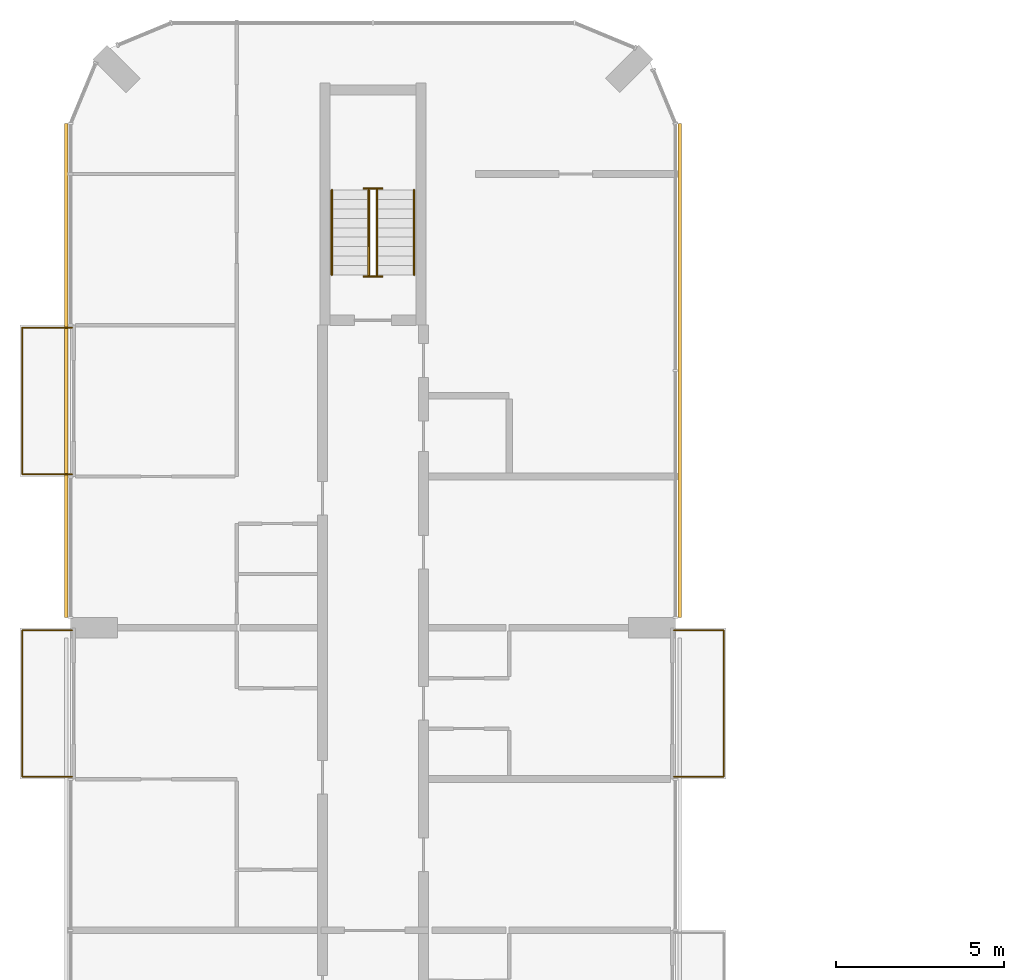
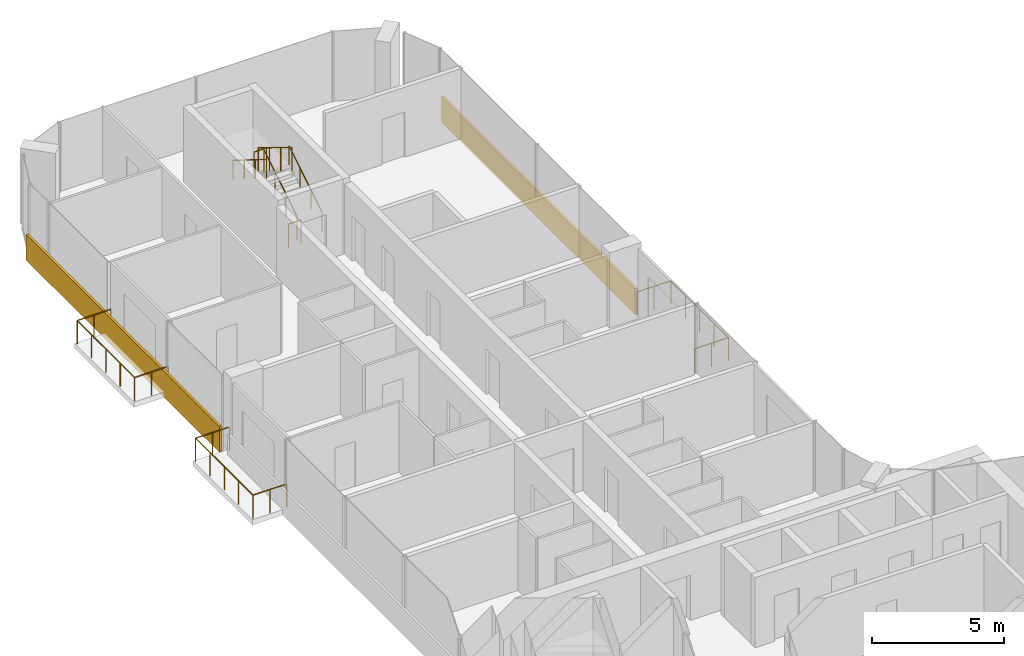
# One storey, part 15 of 15: 9 railings, 2 coverings.
"""IFC4 building model written with IfcOpenShell, lengths in metres."""

from ifc_helpers import new_model, si_unit, direction, frame, origin, origin_2d, place, context, subcontext, project, spatial, rectangle, circle, extrude, material, layer, layer_set, type_object, element, save


model = new_model("IFC4")

# Units and contexts
model_context = context("Model", 3, precision=1e-05, world=origin(), true_north=direction((0.0, 1.0)))
body_context = subcontext(model_context, "Body", "Model", "MODEL_VIEW")
ifc_project = project(units=[si_unit("LENGTHUNIT", "METRE"), si_unit("AREAUNIT", "SQUARE_METRE"), si_unit("VOLUMEUNIT", "CUBIC_METRE"), si_unit("PLANEANGLEUNIT", "RADIAN"), si_unit("MASSUNIT", "GRAM", prefix="KILO")], contexts=[model_context])

# Site, building, storey
site_placement = place(None, origin())
site = spatial("IfcSite", under=ifc_project, at=site_placement, CompositionType="ELEMENT")
building_placement = place(site_placement, origin())
building = spatial("IfcBuilding", under=site, at=building_placement, Name="Plateau Cross Towers", CompositionType="ELEMENT")
storey_placement = place(building_placement, frame((0.0, 0.0, 174.39990234375)))
storey = spatial("IfcBuildingStorey", under=building, at=storey_placement, Name="L45", CompositionType="ELEMENT", Elevation=174.39990234375)

# Railings
ifc_material_1 = material(Name="Stainless steel and toughened glass", Category="steel")
railing_type_1 = type_object("IfcRailingType", Name="Glass balustrade guard 1100", PredefinedType="GUARDRAIL", material=ifc_material_1)
for number, where, name in (
    (1, (0.050048828125, 31.570068359375, 0.0), "Guard guard1"),
    (2, (0.050048828125, 40.570068359375, 0.0), "Guard guard1"),
):
    element("IfcRailing", number, at=place(storey_placement, frame(where)), inside=storey, type_object=railing_type_1, Name=name, PredefinedType="GUARDRAIL", context=body_context, shape_type="SweptSolid", body=[
        extrude(circle(Radius=0.02392578125, at=origin_2d()), frame((0.0, 0.0, 1.076171875), z_axis=(-1.0, 0.0, 0.0), x_axis=(0.0, -1.0, 0.0)), (0.0, 0.0, 1.0), 1.47998046875),
        extrude(circle(Radius=0.02392578125, at=origin_2d()), frame((-1.47998046875, 0.0, 1.076171875), z_axis=(0.0, 1.0, 0.0), x_axis=(-1.0, 0.0, 0.0)), (0.0, 0.0, 1.0), 4.35986328125),
        extrude(circle(Radius=0.02392578125, at=origin_2d()), frame((-1.47998046875, 4.35986328125, 1.076171875), z_axis=(1.0, 0.0, 0.0), x_axis=(0.0, 1.0, 0.0)), (0.0, 0.0, 1.0), 1.47998046875),
        extrude(circle(Radius=0.02099609375, at=origin_2d()), origin(), (0.0, 0.0, 1.0), 1.052001953125),
        extrude(circle(Radius=0.02099609375, at=origin_2d()), frame((-0.739990234375, 0.0, 0.0)), (0.0, 0.0, 1.0), 1.052001953125),
        extrude(circle(Radius=0.02099609375, at=origin_2d()), frame((-1.47998046875, 0.0, 0.0)), (0.0, 0.0, 1.0), 1.052001953125),
        extrude(circle(Radius=0.02099609375, at=origin_2d()), frame((-1.47998046875, 1.08984375, 0.0)), (0.0, 0.0, 1.0), 1.052001953125),
        extrude(circle(Radius=0.02099609375, at=origin_2d()), frame((-1.47998046875, 2.179931640625, 0.0)), (0.0, 0.0, 1.0), 1.052001953125),
        extrude(circle(Radius=0.02099609375, at=origin_2d()), frame((-1.47998046875, 3.27001953125, 0.0)), (0.0, 0.0, 1.0), 1.052001953125),
        extrude(circle(Radius=0.02099609375, at=origin_2d()), frame((-1.47998046875, 4.35986328125, 0.0)), (0.0, 0.0, 1.0), 1.052001953125),
        extrude(circle(Radius=0.02099609375, at=origin_2d()), frame((-0.739990234375, 4.35986328125, 0.0)), (0.0, 0.0, 1.0), 1.052001953125),
        extrude(circle(Radius=0.02099609375, at=origin_2d()), frame((0.0, 4.35986328125, 0.0)), (0.0, 0.0, 1.0), 1.052001953125),
    ])
railing_1_placement = place(storey_placement, frame((17.949951171875, 35.929931640625, 0.0)))
element("IfcRailing", 3, at=railing_1_placement, inside=storey, type_object=railing_type_1, Name="Guard guard1", PredefinedType="GUARDRAIL", context=body_context, shape_type="SweptSolid", body=[
    extrude(circle(Radius=0.02392578125, at=origin_2d()), frame((0.0, 0.0, 1.076171875), z_axis=(1.0, 0.0, 0.0), x_axis=(0.0, 1.0, 0.0)), (0.0, 0.0, 1.0), 1.47998046875),
    extrude(circle(Radius=0.02392578125, at=origin_2d()), frame((1.47998046875, 0.0, 1.076171875), z_axis=(0.0, -1.0, 0.0), x_axis=(1.0, 0.0, 0.0)), (0.0, 0.0, 1.0), 4.35986328125),
    extrude(circle(Radius=0.02392578125, at=origin_2d()), frame((1.47998046875, -4.35986328125, 1.076171875), z_axis=(-1.0, 0.0, 0.0), x_axis=(0.0, -1.0, 0.0)), (0.0, 0.0, 1.0), 1.47998046875),
    extrude(circle(Radius=0.02099609375, at=origin_2d()), origin(), (0.0, 0.0, 1.0), 1.052001953125),
    extrude(circle(Radius=0.02099609375, at=origin_2d()), frame((0.739990234375, 0.0, 0.0)), (0.0, 0.0, 1.0), 1.052001953125),
    extrude(circle(Radius=0.02099609375, at=origin_2d()), frame((1.47998046875, 0.0, 0.0)), (0.0, 0.0, 1.0), 1.052001953125),
    extrude(circle(Radius=0.02099609375, at=origin_2d()), frame((1.47998046875, -1.08984375, 0.0)), (0.0, 0.0, 1.0), 1.052001953125),
    extrude(circle(Radius=0.02099609375, at=origin_2d()), frame((1.47998046875, -2.179931640625, 0.0)), (0.0, 0.0, 1.0), 1.052001953125),
    extrude(circle(Radius=0.02099609375, at=origin_2d()), frame((1.47998046875, -3.27001953125, 0.0)), (0.0, 0.0, 1.0), 1.052001953125),
    extrude(circle(Radius=0.02099609375, at=origin_2d()), frame((1.47998046875, -4.35986328125, 0.0)), (0.0, 0.0, 1.0), 1.052001953125),
    extrude(circle(Radius=0.02099609375, at=origin_2d()), frame((0.739990234375, -4.35986328125, 0.0)), (0.0, 0.0, 1.0), 1.052001953125),
    extrude(circle(Radius=0.02099609375, at=origin_2d()), frame((0.0, -4.35986328125, 0.0)), (0.0, 0.0, 1.0), 1.052001953125),
])
railing_type_2 = type_object("IfcRailingType", Name="RL-GUARD-1100", PredefinedType="GUARDRAIL", material=ifc_material_1)
railing_2_placement = place(storey_placement, frame((9.125, 46.5, 0.175048828125)))
element("IfcRailing", 4, at=railing_2_placement, inside=storey, type_object=railing_type_2, Name="L45 ES-N stair guard 1", PredefinedType="GUARDRAIL", context=body_context, shape_type="SweptSolid", body=[
    extrude(circle(Radius=0.02392578125, at=origin_2d()), frame((0.0, 0.0, 1.076171875), z_axis=(0.0, 0.848007534815, 0.529984170421), x_axis=(-1.0, 0.0, 0.0)), (0.0, 0.0, 1.0), 2.9716796875),
    extrude(circle(Radius=0.02099609375, at=origin_2d()), origin(), (0.0, 0.0, 1.0), 1.052001953125),
    extrude(circle(Radius=0.02099609375, at=origin_2d()), frame((0.0, 0.840087890625, 0.52490234375)), (0.0, 0.0, 1.0), 1.052001953125),
    extrude(circle(Radius=0.02099609375, at=origin_2d()), frame((0.0, 1.679931640625, 1.050048828125)), (0.0, 0.0, 1.0), 1.052001953125),
    extrude(circle(Radius=0.02099609375, at=origin_2d()), frame((0.0, 2.52001953125, 1.574951171875)), (0.0, 0.0, 1.0), 1.052001953125),
])
railing_3_placement = place(storey_placement, frame((9.27490234375, 49.070068359375, 1.75)))
element("IfcRailing", 5, at=railing_3_placement, inside=storey, type_object=railing_type_2, Name="L45 ES-N stair guard 2", PredefinedType="GUARDRAIL", context=body_context, shape_type="SweptSolid", body=[
    extrude(circle(Radius=0.02392578125, at=origin_2d()), frame((0.0, 0.0, 1.076171875), z_axis=(-1.0, 0.0, 0.0), x_axis=(0.0, -1.0, 0.0)), (0.0, 0.0, 1.0), 0.5498046875),
    extrude(circle(Radius=0.02099609375, at=origin_2d()), origin(), (0.0, 0.0, 1.0), 1.052001953125),
    extrude(circle(Radius=0.02099609375, at=origin_2d()), frame((-0.5498046875, 0.0, 0.0)), (0.0, 0.0, 1.0), 1.052001953125),
])
railing_4_placement = place(storey_placement, frame((8.875, 49.02001953125, 1.925048828125)))
element("IfcRailing", 6, at=railing_4_placement, inside=storey, type_object=railing_type_2, Name="L45 ES-N stair guard 3", PredefinedType="GUARDRAIL", context=body_context, shape_type="SweptSolid", body=[
    extrude(circle(Radius=0.02392578125, at=origin_2d()), frame((0.0, 0.0, 1.076171875), z_axis=(0.0, -0.852638500773, 0.522501279423), x_axis=(1.0, 0.0, 0.0)), (0.0, 0.0, 1.0), 3.01416015625),
    extrude(circle(Radius=0.02099609375, at=origin_2d()), origin(), (0.0, 0.0, 1.0), 1.052001953125),
    extrude(circle(Radius=0.02099609375, at=origin_2d()), frame((0.0, -0.856689453125, 0.52490234375)), (0.0, 0.0, 1.0), 1.052001953125),
    extrude(circle(Radius=0.02099609375, at=origin_2d()), frame((0.0, -1.71337890625, 1.050048828125)), (0.0, 0.0, 1.0), 1.052001953125),
    extrude(circle(Radius=0.02099609375, at=origin_2d()), frame((0.0, -2.570068359375, 1.574951171875)), (0.0, 0.0, 1.0), 1.052001953125),
])
railing_5_placement = place(storey_placement, frame((9.27490234375, 46.449951171875, 0.0)))
element("IfcRailing", 7, at=railing_5_placement, inside=storey, type_object=railing_type_2, Name="L45 ES-N stair guard 4", PredefinedType="GUARDRAIL", context=body_context, shape_type="SweptSolid", body=[
    extrude(circle(Radius=0.02392578125, at=origin_2d()), frame((0.0, 0.0, 1.076171875), z_axis=(-1.0, 0.0, 0.0), x_axis=(0.0, -1.0, 0.0)), (0.0, 0.0, 1.0), 0.5498046875),
    extrude(circle(Radius=0.02099609375, at=origin_2d()), origin(), (0.0, 0.0, 1.0), 1.052001953125),
    extrude(circle(Radius=0.02099609375, at=origin_2d()), frame((-0.5498046875, 0.0, 0.0)), (0.0, 0.0, 1.0), 1.052001953125),
])
ifc_material_2 = material(Name="Black anodised aluminium", Category="aluminium")
railing_type_3 = type_object("IfcRailingType", Name="RL-HANDRAIL-900", PredefinedType="HANDRAIL", material=ifc_material_2)
railing_6_placement = place(storey_placement, frame((10.22509765625, 46.5, 0.175048828125)))
element("IfcRailing", 8, at=railing_6_placement, inside=storey, type_object=railing_type_3, Name="L45 ES-N stair handrail 1", PredefinedType="HANDRAIL", context=body_context, shape_type="SweptSolid", body=[
    extrude(circle(Radius=0.02392578125, at=origin_2d()), frame((0.0, 0.0, 0.8759765625), z_axis=(0.0, 0.848007534815, 0.529984170421), x_axis=(-1.0, 0.0, 0.0)), (0.0, 0.0, 1.0), 2.9716796875),
    extrude(circle(Radius=0.02099609375, at=origin_2d()), origin(), (0.0, 0.0, 1.0), 0.851806640625),
    extrude(circle(Radius=0.02099609375, at=origin_2d()), frame((0.0, 0.840087890625, 0.52490234375)), (0.0, 0.0, 1.0), 0.851806640625),
    extrude(circle(Radius=0.02099609375, at=origin_2d()), frame((0.0, 1.679931640625, 1.050048828125)), (0.0, 0.0, 1.0), 0.851806640625),
    extrude(circle(Radius=0.02099609375, at=origin_2d()), frame((0.0, 2.52001953125, 1.574951171875)), (0.0, 0.0, 1.0), 0.851806640625),
])
railing_7_placement = place(storey_placement, frame((7.77490234375, 49.02001953125, 1.925048828125)))
element("IfcRailing", 9, at=railing_7_placement, inside=storey, type_object=railing_type_3, Name="L45 ES-N stair handrail 2", PredefinedType="HANDRAIL", context=body_context, shape_type="SweptSolid", body=[
    extrude(circle(Radius=0.02392578125, at=origin_2d()), frame((0.0, 0.0, 0.8759765625), z_axis=(0.0, -0.848007534815, 0.529984170421), x_axis=(1.0, 0.0, 0.0)), (0.0, 0.0, 1.0), 2.9716796875),
    extrude(circle(Radius=0.02099609375, at=origin_2d()), origin(), (0.0, 0.0, 1.0), 0.851806640625),
    extrude(circle(Radius=0.02099609375, at=origin_2d()), frame((0.0, -0.840087890625, 0.52490234375)), (0.0, 0.0, 1.0), 0.851806640625),
    extrude(circle(Radius=0.02099609375, at=origin_2d()), frame((0.0, -1.679931640625, 1.050048828125)), (0.0, 0.0, 1.0), 0.851806640625),
    extrude(circle(Radius=0.02099609375, at=origin_2d()), frame((0.0, -2.52001953125, 1.574951171875)), (0.0, 0.0, 1.0), 0.851806640625),
])

# Coverings
ifc_material_3 = material(Name="Precast concrete cladding C40/50", Category="concrete")
ifc_layer = layer(ifc_material_3, 0.10009765625)
ifc_layer_set = layer_set([ifc_layer], Name="Precast concrete cladding C40/50")
covering_type = type_object("IfcCoveringType", Name="Spandrel band cladding 100x1200", PredefinedType="CLADDING", material=ifc_layer_set)
for number, where, z_axis, x_axis, name in (
    (10, (18.1201171875, 43.64990234375, -0.25), (0.0, 0.0, 1.0), (0.0, 1.0, 0.0), "Spandrel band"),
    (11, (-0.1201171875, 43.64990234375, -0.25), (0.0, 0.0, 1.0), (0.0, -1.0, 0.0), "Spandrel band"),
):
    element("IfcCovering", number, at=place(storey_placement, frame(where, z_axis=z_axis, x_axis=x_axis)), inside=storey, type_object=covering_type, Name=name, PredefinedType="CLADDING", context=body_context, shape_type="SweptSolid", body=[
        extrude(rectangle(XDim=14.699951171875, YDim=0.10009765625, at=origin_2d()), origin(), (0.0, 0.0, 1.0), 1.199951171875),
    ])

save(model, "model.ifc")
